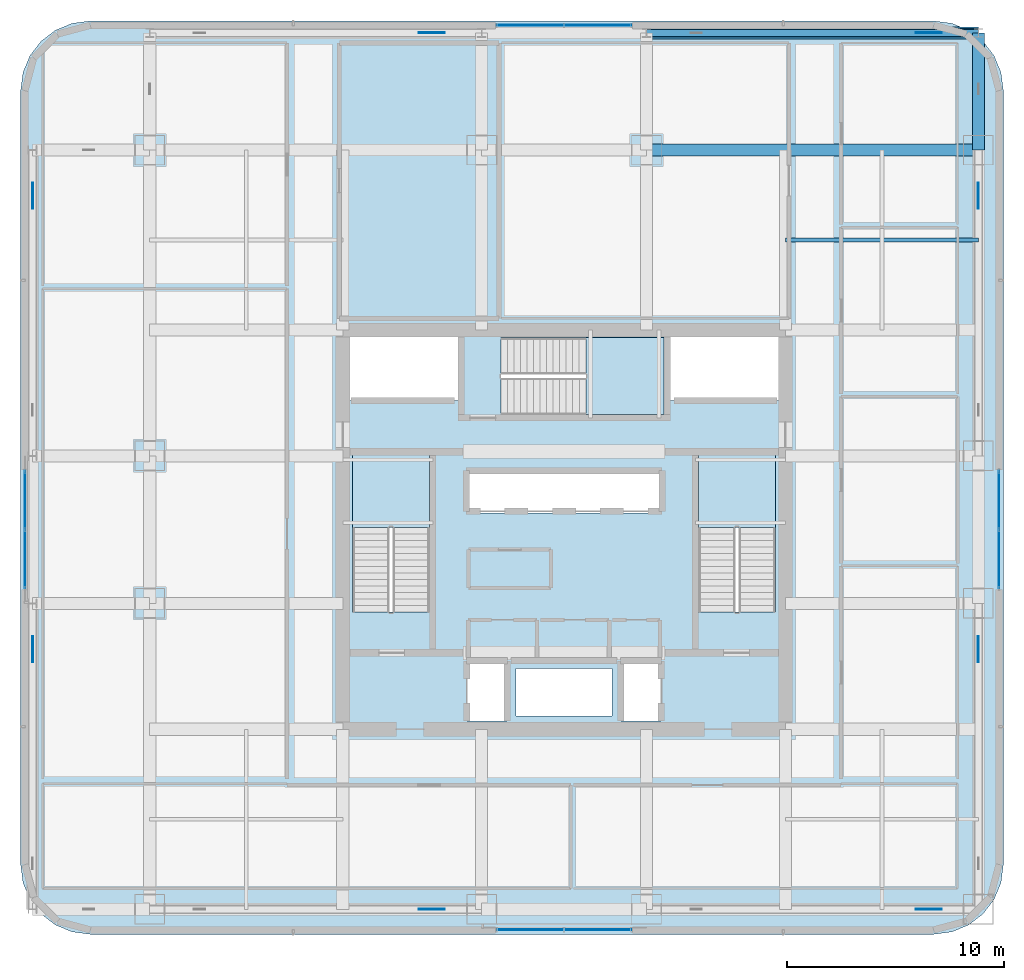
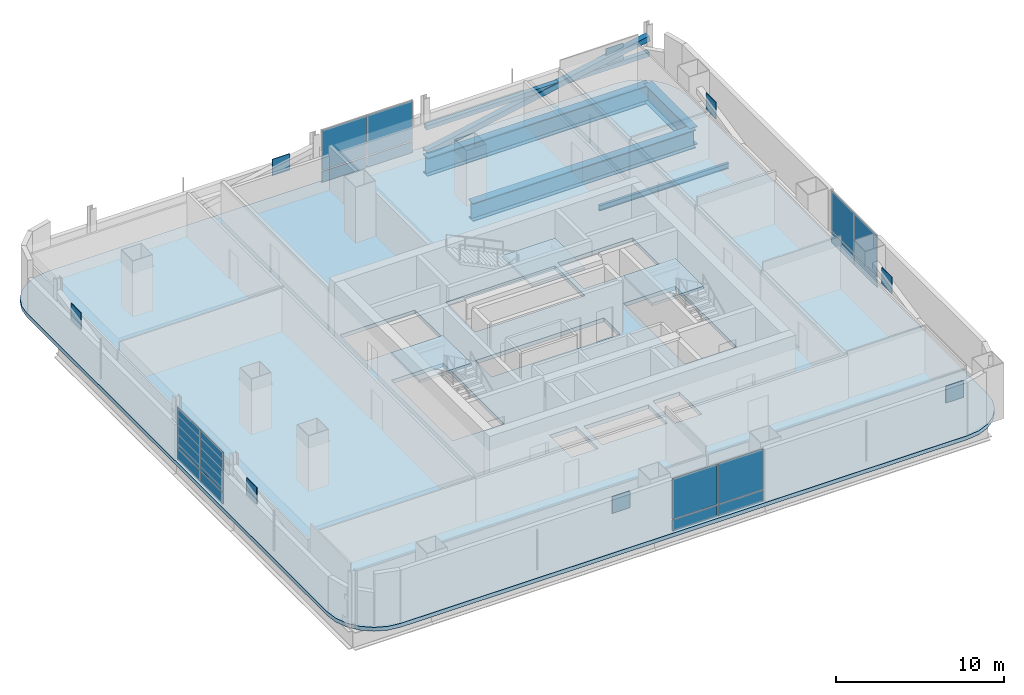
# One storey, part 9 of 32: 24 plates, 4 beams, 4 slabs, 2 members, 7 elements without a shape of their own.
"""IFC4 building model written with IfcOpenShell, lengths in metres."""

from ifc_helpers import new_model, si_unit, direction, frame, origin, origin_2d, place, context, subcontext, project, spatial, polyline, rectangle, hollow_rectangle, i_section, outline, extrude, material, layer, layer_set, material_profile, profile_set, type_object, element, aggregate, save


model = new_model("IFC4")

# Units and contexts
model_context = context("Model", 3, precision=1e-05, world=origin(), true_north=direction((0.0, 1.0)))
body_context = subcontext(model_context, "Body", "Model", "MODEL_VIEW")
ifc_project = project(units=[si_unit("LENGTHUNIT", "METRE"), si_unit("AREAUNIT", "SQUARE_METRE"), si_unit("VOLUMEUNIT", "CUBIC_METRE"), si_unit("PLANEANGLEUNIT", "RADIAN"), si_unit("MASSUNIT", "GRAM", prefix="KILO")], contexts=[model_context])

# Site, building, storey
site_placement = place(None, origin())
site = spatial("IfcSite", under=ifc_project, at=site_placement, CompositionType="ELEMENT")
building_placement = place(site_placement, origin())
building = spatial("IfcBuilding", under=site, at=building_placement, Name="Punatoya Terracotta Tower", CompositionType="ELEMENT")
storey_placement = place(building_placement, frame((0.0, 0.0, 139.800048828125)))
storey = spatial("IfcBuildingStorey", under=building, at=storey_placement, Name="L32", CompositionType="ELEMENT", Elevation=139.800048828125)

# Beams
ifc_material_1 = material(Name="Steel S355", Category="steel")
ifc_material_profile_1 = material_profile(ifc_material_1, i_section(OverallWidth=0.179931640625, OverallDepth=0.39990234375, WebThickness=0.008544921875, FlangeThickness=0.013427734375, FilletRadius=0.01806640625, at=origin_2d()))
ifc_profile_set_1 = profile_set([ifc_material_profile_1], Name="Steel S355")
beam_type_1 = type_object("IfcBeamType", Name="BM-SEC-400", PredefinedType="JOIST", material=ifc_profile_set_1)
beam_1_placement = place(storey_placement, frame((10.199951171875, 13.35009765625, -0.47998046875), z_axis=(1.0, 0.0, 0.0), x_axis=(0.0, 1.0, 0.0)))
element("IfcBeam", 1, at=beam_1_placement, inside=storey, type_object=beam_type_1, Name="BM-L32-SJN-2", PredefinedType="JOIST", context=body_context, shape_type="SweptSolid", body=[
    extrude(i_section(OverallWidth=0.179931640625, OverallDepth=0.39990234375, WebThickness=0.008544921875, FlangeThickness=0.013427734375, FilletRadius=0.01806640625, at=origin_2d()), origin(), (0.0, 0.0, 1.0), 8.900146484375),
])
ifc_material_2 = material(Name="Steel S460", Category="steel")
ifc_material_profile_2 = material_profile(ifc_material_2, i_section(OverallWidth=0.56005859375, OverallDepth=1.320068359375, WebThickness=0.035888671875, FlangeThickness=0.054931640625, FilletRadius=0.01806640625, at=origin_2d()))
ifc_profile_set_2 = profile_set([ifc_material_profile_2], Name="Steel S460")
beam_type_2 = type_object("IfcBeamType", Name="BM-TG-BLK", PredefinedType="BEAM", material=ifc_profile_set_2)
beam_2_placement = place(storey_placement, frame((3.800048828125, 17.5, -0.93994140625), z_axis=(1.0, 0.0, 0.0), x_axis=(0.0, 1.0, 0.0)))
element("IfcBeam", 2, at=beam_2_placement, inside=storey, type_object=beam_type_2, Name="BM-L32-RG-N3", PredefinedType="BEAM", context=body_context, shape_type="SweptSolid", body=[
    extrude(i_section(OverallWidth=0.56005859375, OverallDepth=1.320068359375, WebThickness=0.035888671875, FlangeThickness=0.054931640625, FilletRadius=0.01806640625, at=origin_2d()), origin(), (0.0, 0.0, 1.0), 15.300048828125),
])
beam_3_placement = place(storey_placement, frame((19.10009765625, 17.5, -0.93994140625), z_axis=(0.0, 1.0, 0.0), x_axis=(-1.0, 0.0, 0.0)))
element("IfcBeam", 3, at=beam_3_placement, inside=storey, type_object=beam_type_2, Name="BM-L32-CANT-N4", PredefinedType="BEAM", context=body_context, shape_type="SweptSolid", body=[
    extrude(i_section(OverallWidth=0.56005859375, OverallDepth=1.320068359375, WebThickness=0.035888671875, FlangeThickness=0.054931640625, FilletRadius=0.01806640625, at=origin_2d()), origin(), (0.0, 0.0, 1.0), 5.39990234375),
])
beam_4_placement = place(storey_placement, frame((3.800048828125, 22.89990234375, -0.93994140625), z_axis=(1.0, 0.0, 0.0), x_axis=(0.0, 1.0, 0.0)))
element("IfcBeam", 4, at=beam_4_placement, inside=storey, type_object=beam_type_2, Name="BM-L32-PER-N3", PredefinedType="BEAM", context=body_context, shape_type="SweptSolid", body=[
    extrude(i_section(OverallWidth=0.56005859375, OverallDepth=1.320068359375, WebThickness=0.035888671875, FlangeThickness=0.054931640625, FilletRadius=0.01806640625, at=origin_2d()), origin(), (0.0, 0.0, 1.0), 15.300048828125),
])

# Members
ifc_material_profile_3 = material_profile(ifc_material_2, hollow_rectangle(XDim=0.320068359375, YDim=0.320068359375, WallThickness=0.01806640625, at=origin_2d()))
ifc_profile_set_3 = profile_set([ifc_material_profile_3], Name="Steel S460")
member_type_1 = type_object("IfcMemberType", Name="MEM-CHD-320", PredefinedType="CHORD", material=ifc_profile_set_3)
member_1_placement = place(storey_placement, frame((3.800048828125, 22.89990234375, 1.849853515625), z_axis=(1.0, 0.0, 0.0), x_axis=(0.0, 1.0, 0.0)))
element("IfcMember", 5, at=member_1_placement, inside=storey, type_object=member_type_1, Name="L32 Exoskeleton Belt Truss Tie Chord N3", PredefinedType="CHORD", context=body_context, shape_type="SweptSolid", body=[
    extrude(hollow_rectangle(XDim=0.320068359375, YDim=0.320068359375, WallThickness=0.01806640625, at=origin_2d()), origin(), (0.0, 0.0, 1.0), 15.300048828125),
])
ifc_material_profile_4 = material_profile(ifc_material_2, hollow_rectangle(XDim=0.39990234375, YDim=0.39990234375, WallThickness=0.02197265625, at=origin_2d()))
ifc_profile_set_4 = profile_set([ifc_material_profile_4], Name="Steel S460")
member_type_2 = type_object("IfcMemberType", Name="MEM-EXO-400", PredefinedType="BRACE", material=ifc_profile_set_4)
member_2_placement = place(storey_placement, frame((3.800048828125, 22.89990234375, 0.02001953125), z_axis=(0.981192463394, 0.0, 0.193031991594), x_axis=(0.0, 1.0, 0.0)))
element("IfcMember", 6, at=member_2_placement, inside=storey, type_object=member_type_2, Name="L32 Exoskeleton Belt Brace N3", PredefinedType="BRACE", context=body_context, shape_type="SweptSolid", body=[
    extrude(hollow_rectangle(XDim=0.39990234375, YDim=0.39990234375, WallThickness=0.02197265625, at=origin_2d()), origin(), (0.0, 0.0, 1.0), 15.59326171875),
])

# Curtain wall, plates
ifc_material_3 = material(Name="Aluminium 6063-T6 + Double Low-E Glass", Category="aluminium")
curtain_wall_type = type_object("IfcCurtainWallType", Name="CW-M2", PredefinedType="NOTDEFINED", material=ifc_material_3)
curtain_wall_1_placement = place(storey_placement, origin())
curtain_wall_1 = element("IfcCurtainWall", 7, at=curtain_wall_1_placement, inside=storey, type_object=curtain_wall_type, Name="L32 Curtain Wall CW-L32-S01-1", PredefinedType="NOTDEFINED")
ifc_material_4 = material(Name="Double Low-E Acoustic Vision Glass", Category="glass")
ifc_layer_1 = layer(ifc_material_4, 0.031982421875)
ifc_layer_set_1 = layer_set([ifc_layer_1], Name="Double Low-E Acoustic Vision Glass")
plate_type_1 = type_object("IfcPlateType", Name="PLT-GLZ-32", PredefinedType="CURTAIN_PANEL", material=ifc_layer_set_1)
plate_1_placement = place(storey_placement, frame((-1.574951171875, -18.449951171875, 0.889892578125), z_axis=(0.0, 0.0, 1.0), x_axis=(1.0, 0.0, 0.0)))
plate_1 = element("IfcPlate", 8, at=plate_1_placement, type_object=plate_type_1, Name="CW-L32-S01-1 Vision Glass Panel 1", PredefinedType="CURTAIN_PANEL", context=body_context, shape_type="SweptSolid", body=[
    extrude(rectangle(XDim=3.06494140625, YDim=0.031982421875, at=origin_2d()), origin(), (0.0, 0.0, 1.0), 2.89990234375),
])
plate_2_placement = place(storey_placement, frame((1.574951171875, -18.449951171875, 0.889892578125), z_axis=(0.0, 0.0, 1.0), x_axis=(1.0, 0.0, 0.0)))
plate_2 = element("IfcPlate", 9, at=plate_2_placement, type_object=plate_type_1, Name="CW-L32-S01-1 Vision Glass Panel 2", PredefinedType="CURTAIN_PANEL", context=body_context, shape_type="SweptSolid", body=[
    extrude(rectangle(XDim=3.06494140625, YDim=0.031982421875, at=origin_2d()), origin(), (0.0, 0.0, 1.0), 2.89990234375),
])

curtain_wall_2_placement = place(storey_placement, origin())
curtain_wall_2 = element("IfcCurtainWall", 10, at=curtain_wall_2_placement, inside=storey, type_object=curtain_wall_type, Name="L32 Curtain Wall CW-L32-E05-1", PredefinedType="NOTDEFINED")
plate_3_placement = place(storey_placement, frame((20.050048828125, -1.375, 0.889892578125), z_axis=(0.0, 0.0, 1.0), x_axis=(0.0, 1.0, 0.0)))
plate_3 = element("IfcPlate", 11, at=plate_3_placement, type_object=plate_type_1, Name="CW-L32-E05-1 Vision Glass Panel 1", PredefinedType="CURTAIN_PANEL", context=body_context, shape_type="SweptSolid", body=[
    extrude(rectangle(XDim=2.6650390625, YDim=0.031982421875, at=origin_2d()), origin(), (0.0, 0.0, 1.0), 2.89990234375),
])
plate_4_placement = place(storey_placement, frame((20.050048828125, 1.375, 0.889892578125), z_axis=(0.0, 0.0, 1.0), x_axis=(0.0, 1.0, 0.0)))
plate_4 = element("IfcPlate", 12, at=plate_4_placement, type_object=plate_type_1, Name="CW-L32-E05-1 Vision Glass Panel 2", PredefinedType="CURTAIN_PANEL", context=body_context, shape_type="SweptSolid", body=[
    extrude(rectangle(XDim=2.6650390625, YDim=0.031982421875, at=origin_2d()), origin(), (0.0, 0.0, 1.0), 2.89990234375),
])

curtain_wall_3_placement = place(storey_placement, origin())
curtain_wall_3 = element("IfcCurtainWall", 13, at=curtain_wall_3_placement, inside=storey, type_object=curtain_wall_type, Name="L32 Curtain Wall CW-L32-N09-1", PredefinedType="NOTDEFINED")
plate_5_placement = place(storey_placement, frame((1.574951171875, 23.25, 0.889892578125), z_axis=(0.0, 0.0, 1.0), x_axis=(-1.0, 0.0, 0.0)))
plate_5 = element("IfcPlate", 14, at=plate_5_placement, type_object=plate_type_1, Name="CW-L32-N09-1 Vision Glass Panel 1", PredefinedType="CURTAIN_PANEL", context=body_context, shape_type="SweptSolid", body=[
    extrude(rectangle(XDim=3.06494140625, YDim=0.031982421875, at=origin_2d()), origin(), (0.0, 0.0, 1.0), 2.89990234375),
])
plate_6_placement = place(storey_placement, frame((-1.574951171875, 23.25, 0.889892578125), z_axis=(0.0, 0.0, 1.0), x_axis=(-1.0, 0.0, 0.0)))
plate_6 = element("IfcPlate", 15, at=plate_6_placement, type_object=plate_type_1, Name="CW-L32-N09-1 Vision Glass Panel 2", PredefinedType="CURTAIN_PANEL", context=body_context, shape_type="SweptSolid", body=[
    extrude(rectangle(XDim=3.06494140625, YDim=0.031982421875, at=origin_2d()), origin(), (0.0, 0.0, 1.0), 2.89990234375),
])

curtain_wall_4_placement = place(storey_placement, origin())
curtain_wall_4 = element("IfcCurtainWall", 16, at=curtain_wall_4_placement, inside=storey, type_object=curtain_wall_type, Name="L32 Curtain Wall CW-L32-W13-1", PredefinedType="NOTDEFINED")
plate_7_placement = place(storey_placement, frame((-24.85009765625, 1.375, 0.889892578125), z_axis=(0.0, 0.0, 1.0), x_axis=(0.0, -1.0, 0.0)))
plate_7 = element("IfcPlate", 17, at=plate_7_placement, type_object=plate_type_1, Name="CW-L32-W13-1 Vision Glass Panel 1", PredefinedType="CURTAIN_PANEL", context=body_context, shape_type="SweptSolid", body=[
    extrude(rectangle(XDim=2.6650390625, YDim=0.031982421875, at=origin_2d()), origin(), (0.0, 0.0, 1.0), 2.89990234375),
])
plate_8_placement = place(storey_placement, frame((-24.85009765625, -1.375, 0.889892578125), z_axis=(0.0, 0.0, 1.0), x_axis=(0.0, -1.0, 0.0)))
plate_8 = element("IfcPlate", 18, at=plate_8_placement, type_object=plate_type_1, Name="CW-L32-W13-1 Vision Glass Panel 2", PredefinedType="CURTAIN_PANEL", context=body_context, shape_type="SweptSolid", body=[
    extrude(rectangle(XDim=2.6650390625, YDim=0.031982421875, at=origin_2d()), origin(), (0.0, 0.0, 1.0), 2.89990234375),
])

# Plates
ifc_layer_2 = layer(ifc_material_2, 0.044921875)
ifc_layer_set_2 = layer_set([ifc_layer_2], Name="Steel S460")
plate_type_2 = type_object("IfcPlateType", Name="PLT-GUS-45", PredefinedType="USERDEFINED", material=ifc_layer_set_2)
for number, where, z_axis, x_axis, name in (
    (19, (-6.094970703125, -17.5, 1.978515625), (0.0, 0.0, 1.0), (1.0, 0.0, 0.0), "L32 Exoskeleton Node Gusset Plate S1"),
    (20, (16.804931640625, -17.5, 1.978515625), (0.0, 0.0, 1.0), (1.0, 0.0, 0.0), "L32 Exoskeleton Node Gusset Plate S3"),
    (21, (-6.094970703125, 22.89990234375, 1.978515625), (0.0, 0.0, 1.0), (1.0, 0.0, 0.0), "L32 Exoskeleton Node Gusset Plate N1"),
    (22, (16.804931640625, 22.89990234375, 1.978515625), (0.0, 0.0, 1.0), (1.0, 0.0, 0.0), "L32 Exoskeleton Node Gusset Plate N3"),
    (23, (-24.5, -5.514892578125, 1.978515625), (0.0, 0.0, 1.0), (0.0, 1.0, 0.0), "L32 Exoskeleton Node Gusset Plate W1"),
    (24, (-24.5, 15.385009765625, 1.978515625), (0.0, 0.0, 1.0), (0.0, 1.0, 0.0), "L32 Exoskeleton Node Gusset Plate W3"),
    (25, (19.10009765625, -5.514892578125, 1.978515625), (0.0, 0.0, 1.0), (0.0, 1.0, 0.0), "L32 Exoskeleton Node Gusset Plate E1"),
    (26, (19.10009765625, 15.385009765625, 1.978515625), (0.0, 0.0, 1.0), (0.0, 1.0, 0.0), "L32 Exoskeleton Node Gusset Plate E3"),
):
    element("IfcPlate", number, at=place(storey_placement, frame(where, z_axis=z_axis, x_axis=x_axis)), inside=storey, type_object=plate_type_2, Name=name, ObjectType="GUSSET_PLATE", PredefinedType="USERDEFINED", context=body_context, shape_type="SweptSolid", body=[
        extrude(rectangle(XDim=1.199951171875, YDim=0.044921875, at=origin_2d()), origin(), (0.0, 0.0, 1.0), 1.199951171875),
    ])

# Plate
ifc_material_5 = material(Name="Insulated Terracotta-Backed Spandrel Panel", Category="masonry")
ifc_layer_3 = layer(ifc_material_5, 0.044921875)
ifc_layer_set_3 = layer_set([ifc_layer_3], Name="Insulated Terracotta-Backed Spandrel Panel")
plate_type_3 = type_object("IfcPlateType", Name="PLT-SPN-45", PredefinedType="CURTAIN_PANEL", material=ifc_layer_set_3)
plate_9_placement = place(storey_placement, frame((-1.574951171875, -18.449951171875, 0.0400390625), z_axis=(0.0, 0.0, 1.0), x_axis=(1.0, 0.0, 0.0)))
plate_9 = element("IfcPlate", 27, at=plate_9_placement, type_object=plate_type_3, Name="CW-L32-S01-1 Terracotta Spandrel Panel 1", PredefinedType="CURTAIN_PANEL", context=body_context, shape_type="SweptSolid", body=[
    extrude(rectangle(XDim=3.06494140625, YDim=0.044921875, at=origin_2d()), origin(), (0.0, 0.0, 1.0), 0.77490234375),
])

plate_10_placement = place(storey_placement, frame((1.574951171875, -18.449951171875, 0.0400390625), z_axis=(0.0, 0.0, 1.0), x_axis=(1.0, 0.0, 0.0)))
plate_10 = element("IfcPlate", 28, at=plate_10_placement, type_object=plate_type_3, Name="CW-L32-S01-1 Terracotta Spandrel Panel 2", PredefinedType="CURTAIN_PANEL", context=body_context, shape_type="SweptSolid", body=[
    extrude(rectangle(XDim=3.06494140625, YDim=0.044921875, at=origin_2d()), origin(), (0.0, 0.0, 1.0), 0.77490234375),
])

aggregate(curtain_wall_1, [plate_9, plate_1, plate_10, plate_2])

plate_11_placement = place(storey_placement, frame((20.050048828125, -1.375, 0.0400390625), z_axis=(0.0, 0.0, 1.0), x_axis=(0.0, 1.0, 0.0)))
plate_11 = element("IfcPlate", 29, at=plate_11_placement, type_object=plate_type_3, Name="CW-L32-E05-1 Terracotta Spandrel Panel 1", PredefinedType="CURTAIN_PANEL", context=body_context, shape_type="SweptSolid", body=[
    extrude(rectangle(XDim=2.6650390625, YDim=0.044921875, at=origin_2d()), origin(), (0.0, 0.0, 1.0), 0.77490234375),
])

plate_12_placement = place(storey_placement, frame((20.050048828125, 1.375, 0.0400390625), z_axis=(0.0, 0.0, 1.0), x_axis=(0.0, 1.0, 0.0)))
plate_12 = element("IfcPlate", 30, at=plate_12_placement, type_object=plate_type_3, Name="CW-L32-E05-1 Terracotta Spandrel Panel 2", PredefinedType="CURTAIN_PANEL", context=body_context, shape_type="SweptSolid", body=[
    extrude(rectangle(XDim=2.6650390625, YDim=0.044921875, at=origin_2d()), origin(), (0.0, 0.0, 1.0), 0.77490234375),
])

aggregate(curtain_wall_2, [plate_11, plate_3, plate_12, plate_4])

plate_13_placement = place(storey_placement, frame((1.574951171875, 23.25, 0.0400390625), z_axis=(0.0, 0.0, 1.0), x_axis=(-1.0, 0.0, 0.0)))
plate_13 = element("IfcPlate", 31, at=plate_13_placement, type_object=plate_type_3, Name="CW-L32-N09-1 Terracotta Spandrel Panel 1", PredefinedType="CURTAIN_PANEL", context=body_context, shape_type="SweptSolid", body=[
    extrude(rectangle(XDim=3.06494140625, YDim=0.044921875, at=origin_2d()), origin(), (0.0, 0.0, 1.0), 0.77490234375),
])

plate_14_placement = place(storey_placement, frame((-1.574951171875, 23.25, 0.0400390625), z_axis=(0.0, 0.0, 1.0), x_axis=(-1.0, 0.0, 0.0)))
plate_14 = element("IfcPlate", 32, at=plate_14_placement, type_object=plate_type_3, Name="CW-L32-N09-1 Terracotta Spandrel Panel 2", PredefinedType="CURTAIN_PANEL", context=body_context, shape_type="SweptSolid", body=[
    extrude(rectangle(XDim=3.06494140625, YDim=0.044921875, at=origin_2d()), origin(), (0.0, 0.0, 1.0), 0.77490234375),
])

aggregate(curtain_wall_3, [plate_13, plate_5, plate_14, plate_6])

plate_15_placement = place(storey_placement, frame((-24.85009765625, 1.375, 0.0400390625), z_axis=(0.0, 0.0, 1.0), x_axis=(0.0, -1.0, 0.0)))
plate_15 = element("IfcPlate", 33, at=plate_15_placement, type_object=plate_type_3, Name="CW-L32-W13-1 Terracotta Spandrel Panel 1", PredefinedType="CURTAIN_PANEL", context=body_context, shape_type="SweptSolid", body=[
    extrude(rectangle(XDim=2.6650390625, YDim=0.044921875, at=origin_2d()), origin(), (0.0, 0.0, 1.0), 0.77490234375),
])

plate_16_placement = place(storey_placement, frame((-24.85009765625, -1.375, 0.0400390625), z_axis=(0.0, 0.0, 1.0), x_axis=(0.0, -1.0, 0.0)))
plate_16 = element("IfcPlate", 34, at=plate_16_placement, type_object=plate_type_3, Name="CW-L32-W13-1 Terracotta Spandrel Panel 2", PredefinedType="CURTAIN_PANEL", context=body_context, shape_type="SweptSolid", body=[
    extrude(rectangle(XDim=2.6650390625, YDim=0.044921875, at=origin_2d()), origin(), (0.0, 0.0, 1.0), 0.77490234375),
])

aggregate(curtain_wall_4, [plate_15, plate_7, plate_16, plate_8])

# Stair, slab
ifc_material_6 = material(Name="Concrete C40/50", Category="concrete")
stair_type_1 = type_object("IfcStairType", Name="STR-TER-1450", PredefinedType="HALF_TURN_STAIR", material=ifc_material_6)
stair_1_placement = place(storey_placement, origin())
stair_1 = element("IfcStair", 35, at=stair_1_placement, inside=storey, type_object=stair_type_1, Name="L32 Protected Core Exit Stair ST-3", PredefinedType="HALF_TURN_STAIR")
ifc_layer_4 = layer(ifc_material_6, 0.1650390625)
ifc_layer_set_4 = layer_set([ifc_layer_4], Name="Concrete C40/50")
slab_type_1 = type_object("IfcSlabType", Name="SLB-LND-165", PredefinedType="LANDING", material=ifc_layer_set_4)
slab_1_placement = place(storey_placement, frame((0.0, 0.0, 1.824951171875)))
slab_1 = element("IfcSlab", 36, at=slab_1_placement, type_object=slab_type_1, Name="ST-3 landing 1", PredefinedType="LANDING", context=body_context, shape_type="SweptSolid", body=[
    extrude(outline(polyline([(1.0, 5.300048828125), (4.60009765625, 5.300048828125), (4.60009765625, 8.85009765625), (1.0, 8.85009765625), (1.0, 5.300048828125)])), origin(), (0.0, 0.0, 1.0), 0.199951171875),
])
aggregate(stair_1, [slab_1])

stair_type_2 = type_object("IfcStairType", Name="STR-CORE-1550", PredefinedType="HALF_TURN_STAIR", material=ifc_material_6)
stair_2_placement = place(storey_placement, origin())
stair_2 = element("IfcStair", 37, at=stair_2_placement, inside=storey, type_object=stair_type_2, Name="L32 Protected Core Exit Stair ST-1", PredefinedType="HALF_TURN_STAIR")
ifc_layer_5 = layer(ifc_material_6, 0.179931640625)
ifc_layer_set_5 = layer_set([ifc_layer_5], Name="Concrete C40/50")
slab_type_2 = type_object("IfcSlabType", Name="SLB-LND-180", PredefinedType="LANDING", material=ifc_layer_set_5)
slab_2_placement = place(storey_placement, frame((0.0, 0.0, 1.824951171875)))
slab_2 = element("IfcSlab", 38, at=slab_2_placement, type_object=slab_type_2, Name="ST-1 landing 1", PredefinedType="LANDING", context=body_context, shape_type="SweptSolid", body=[
    extrude(outline(polyline([(-6.199951171875, 0.10009765625), (-6.199951171875, 3.449951171875), (-9.75, 3.449951171875), (-9.75, 0.10009765625), (-6.199951171875, 0.10009765625)])), origin(), (0.0, 0.0, 1.0), 0.199951171875),
])
aggregate(stair_2, [slab_2])

stair_type_3 = type_object("IfcStairType", Name="STR-LOB-1650", PredefinedType="HALF_TURN_STAIR", material=ifc_material_6)
stair_3_placement = place(storey_placement, origin())
stair_3 = element("IfcStair", 39, at=stair_3_placement, inside=storey, type_object=stair_type_3, Name="L32 Protected Core Exit Stair ST-2", PredefinedType="HALF_TURN_STAIR")
slab_3_placement = place(storey_placement, frame((0.0, 0.0, 1.824951171875)))
slab_3 = element("IfcSlab", 40, at=slab_3_placement, type_object=slab_type_2, Name="ST-2 landing 1", PredefinedType="LANDING", context=body_context, shape_type="SweptSolid", body=[
    extrude(outline(polyline([(9.75, 0.10009765625), (9.75, 3.449951171875), (6.199951171875, 3.449951171875), (6.199951171875, 0.10009765625), (9.75, 0.10009765625)])), origin(), (0.0, 0.0, 1.0), 0.199951171875),
])
aggregate(stair_3, [slab_3])

# Slab
ifc_layer_6 = layer(ifc_material_6, 0.280029296875)
ifc_layer_set_6 = layer_set([ifc_layer_6], Name="Concrete C40/50")
slab_type_3 = type_object("IfcSlabType", Name="SLB-POD-280", PredefinedType="FLOOR", material=ifc_layer_set_6)
slab_4_placement = place(storey_placement, frame((0.0, 0.0, -0.280029296875)))
element("IfcSlab", 41, at=slab_4_placement, inside=storey, type_object=slab_type_3, Name="L32 Structural Floor Slab", PredefinedType="FLOOR", context=body_context, shape_type="SweptSolid", body=[
    extrude(outline(polyline([(-21.85009765625, -18.64990234375), (-22.67822265625, -18.541015625), (-23.449951171875, -18.22119140625), (-24.11279296875, -17.712646484375), (-24.621337890625, -17.050048828125), (-24.94091796875, -16.2783203125), (-25.050048828125, -15.449951171875), (-25.050048828125, 20.25), (-24.94091796875, 21.078125), (-24.621337890625, 21.85009765625), (-24.11279296875, 22.5126953125), (-23.449951171875, 23.021240234375), (-22.67822265625, 23.341064453125), (-21.85009765625, 23.449951171875), (17.050048828125, 23.449951171875), (17.878173828125, 23.341064453125), (18.64990234375, 23.021240234375), (19.312744140625, 22.5126953125), (19.8212890625, 21.85009765625), (20.14111328125, 21.078125), (20.25, 20.25), (20.25, -15.449951171875), (20.14111328125, -16.2783203125), (19.8212890625, -17.050048828125), (19.312744140625, -17.712646484375), (18.64990234375, -18.22119140625), (17.878173828125, -18.541015625), (17.050048828125, -18.64990234375), (-21.85009765625, -18.64990234375)]), holes=[polyline([(-2.6298828125, -6.179931640625), (-4.469970703125, -6.179931640625), (-4.469970703125, -8.820068359375), (-2.6298828125, -8.820068359375), (-2.6298828125, -6.179931640625)]), polyline([(0.02001953125, -8.594970703125), (2.219970703125, -8.594970703125), (2.219970703125, -6.405029296875), (0.02001953125, -6.405029296875), (-0.02001953125, -6.405029296875), (-2.219970703125, -6.405029296875), (-2.219970703125, -8.594970703125), (-0.02001953125, -8.594970703125), (0.02001953125, -8.594970703125)]), polyline([(-6.199951171875, 3.449951171875), (-9.75, 3.449951171875), (-9.75, -3.79931640625), (-6.199951171875, -3.79931640625), (-6.199951171875, 3.449951171875)]), polyline([(-4.419921875, 2.719970703125), (-4.419921875, 0.780029296875), (-2.219970703125, 0.780029296875), (-2.179931640625, 0.780029296875), (-0.02001953125, 0.780029296875), (0.02001953125, 0.780029296875), (2.179931640625, 0.780029296875), (2.219970703125, 0.780029296875), (4.419921875, 0.780029296875), (4.419921875, 2.719970703125), (2.219970703125, 2.719970703125), (2.179931640625, 2.719970703125), (0.02001953125, 2.719970703125), (-0.02001953125, 2.719970703125), (-2.179931640625, 2.719970703125), (-2.219970703125, 2.719970703125), (-4.419921875, 2.719970703125)]), polyline([(4.60009765625, 5.300048828125), (4.60009765625, 8.85009765625), (-2.899169921875, 8.85009765625), (-2.899169921875, 5.300048828125), (4.60009765625, 5.300048828125)]), polyline([(-4.89990234375, 9.050048828125), (-10.050048828125, 9.050048828125), (-10.050048828125, 5.949951171875), (-4.89990234375, 5.949951171875), (-4.89990234375, 9.050048828125)]), polyline([(4.469970703125, -8.820068359375), (4.469970703125, -6.179931640625), (2.6298828125, -6.179931640625), (2.6298828125, -8.820068359375), (4.469970703125, -8.820068359375)]), polyline([(9.75, 3.449951171875), (6.199951171875, 3.449951171875), (6.199951171875, -3.79931640625), (9.75, -3.79931640625), (9.75, 3.449951171875)]), polyline([(10.050048828125, 5.949951171875), (10.050048828125, 9.050048828125), (4.89990234375, 9.050048828125), (4.89990234375, 5.949951171875), (10.050048828125, 5.949951171875)])]), origin(), (0.0, 0.0, 1.0), 0.280029296875),
])

save(model, "model.ifc")
